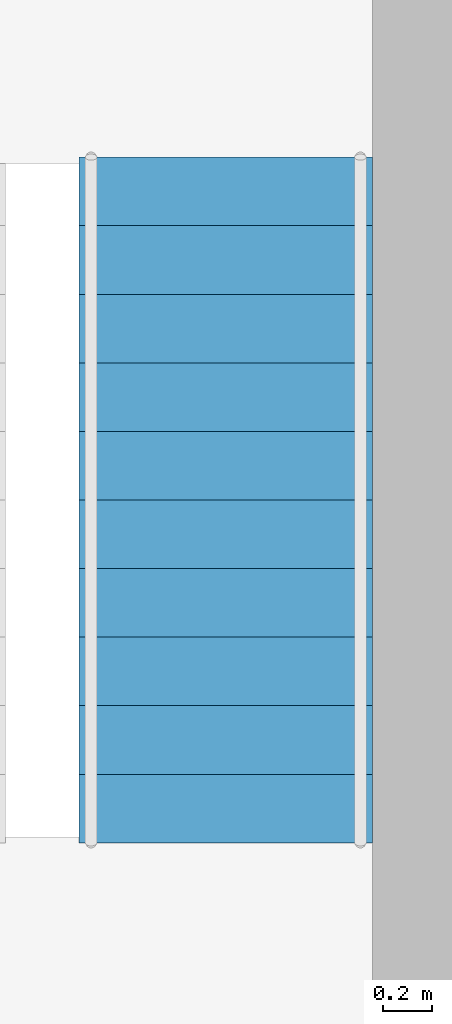
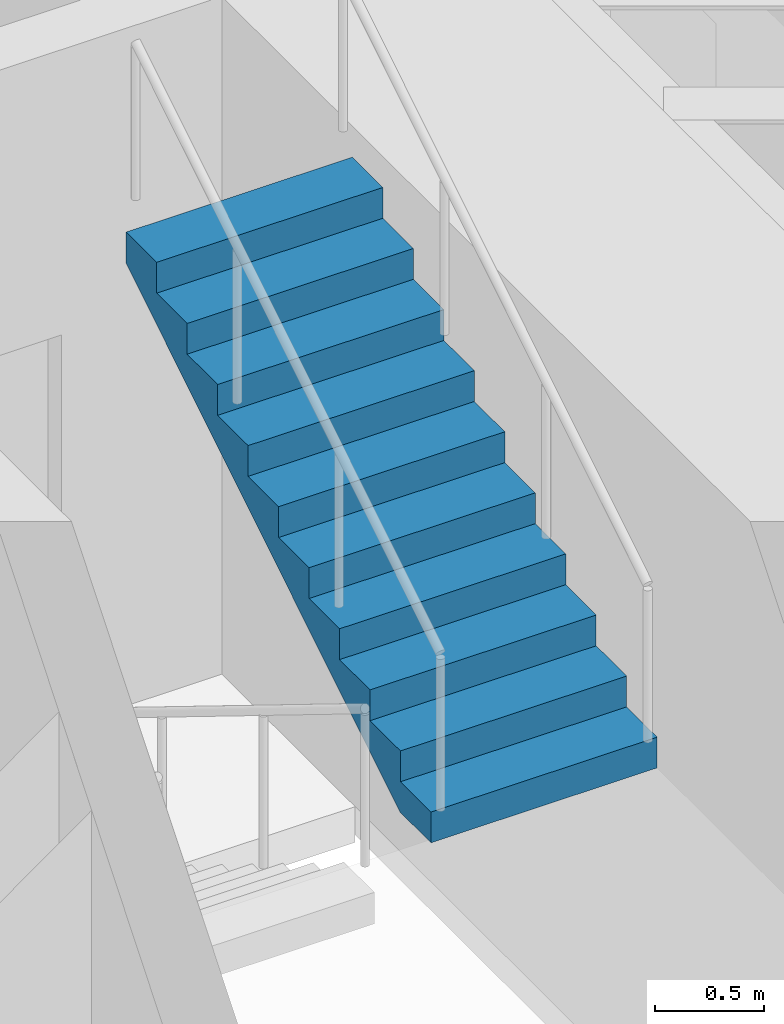
# One storey, part 16 of 17: 1 stair flight, 1 element without a shape of its own.
"""IFC4 building model written with IfcOpenShell, lengths in metres."""

from ifc_helpers import new_model, si_unit, direction, frame, origin, place, context, subcontext, project, spatial, polyline, outline, extrude, material, type_object, element, aggregate, save


model = new_model("IFC4")

# Units and contexts
model_context = context("Model", 3, precision=1e-05, world=origin(), true_north=direction((0.0, 1.0)))
body_context = subcontext(model_context, "Body", "Model", "MODEL_VIEW")
ifc_project = project(units=[si_unit("LENGTHUNIT", "METRE"), si_unit("AREAUNIT", "SQUARE_METRE"), si_unit("VOLUMEUNIT", "CUBIC_METRE"), si_unit("PLANEANGLEUNIT", "RADIAN"), si_unit("MASSUNIT", "GRAM", prefix="KILO")], contexts=[model_context])

# Site, building, storey
site_placement = place(None, origin())
site = spatial("IfcSite", under=ifc_project, at=site_placement, CompositionType="ELEMENT")
building_placement = place(site_placement, origin())
building = spatial("IfcBuilding", under=site, at=building_placement, Name="Sandreach Pilgrim Tower", CompositionType="ELEMENT")
storey_placement = place(building_placement, frame((0.0, 0.0, 112.0)))
storey = spatial("IfcBuildingStorey", under=building, at=storey_placement, Name="L27", CompositionType="ELEMENT", Elevation=112.0)

# Stair, stair flight
ifc_material_1 = material(Name="Concrete 8000 psi", Category="concrete")
stair_type = type_object("IfcStairType", Name="Core exit stair", PredefinedType="HALF_TURN_STAIR", material=ifc_material_1)
stair_placement = place(storey_placement, origin())
stair = element("IfcStair", 1, at=stair_placement, inside=storey, type_object=stair_type, Name="Exit stair ST2 L27", PredefinedType="HALF_TURN_STAIR")
ifc_material_2 = material(Name="Concrete 8000 psi", Category="concrete")
stair_flight_type = type_object("IfcStairFlightType", Name="Core stair flight 1200", PredefinedType="STRAIGHT", material=ifc_material_2)
stair_flight_placement = place(storey_placement, frame((7.14990234375, -3.199951171875, 1.89990234375), z_axis=(0.0, 0.0, 1.0), x_axis=(0.0, 1.0, 0.0)))
stair_flight = element("IfcStairFlight", 2, at=stair_flight_placement, type_object=stair_flight_type, Name="ST2 flight 2", NumberOfRisers=11, NumberOfTreads=10, PredefinedType="STRAIGHT", RiserHeight=0.172727273, TreadLength=0.28, context=body_context, shape_type="SweptSolid", body=[
    extrude(outline(polyline([(0.0, 0.0), (0.0, 0.172607421875), (0.280029296875, 0.172607421875), (0.280029296875, 0.345458984375), (0.56005859375, 0.345458984375), (0.56005859375, 0.51806640625), (0.840087890625, 0.51806640625), (0.840087890625, 0.69091796875), (1.1201171875, 0.69091796875), (1.1201171875, 0.863525390625), (1.39990234375, 0.863525390625), (1.39990234375, 1.036376953125), (1.679931640625, 1.036376953125), (1.679931640625, 1.208984375), (1.9599609375, 1.208984375), (1.9599609375, 1.3818359375), (2.239990234375, 1.3818359375), (2.239990234375, 1.554443359375), (2.52001953125, 1.554443359375), (2.52001953125, 1.727294921875), (2.800048828125, 1.727294921875), (2.800048828125, 1.89990234375), (2.800048828125, 1.551025390625), (0.285400390625, 0.0), (0.0, 0.0)])), frame((0.0, 0.60009765625, 0.0), z_axis=(0.0, -1.0, 0.0), x_axis=(1.0, 0.0, 0.0)), (0.0, 0.0, 1.0), 1.199951171875),
])
aggregate(stair, [stair_flight])

save(model, "model.ifc")
